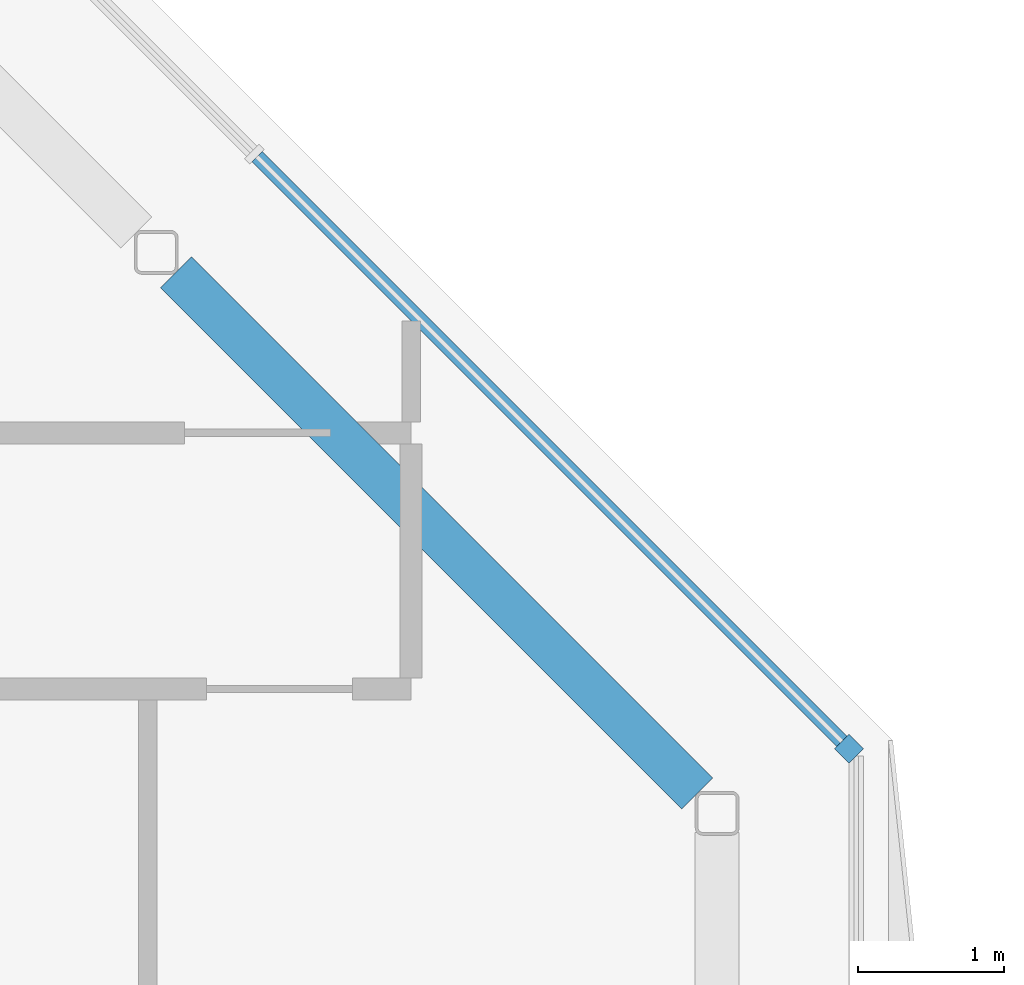
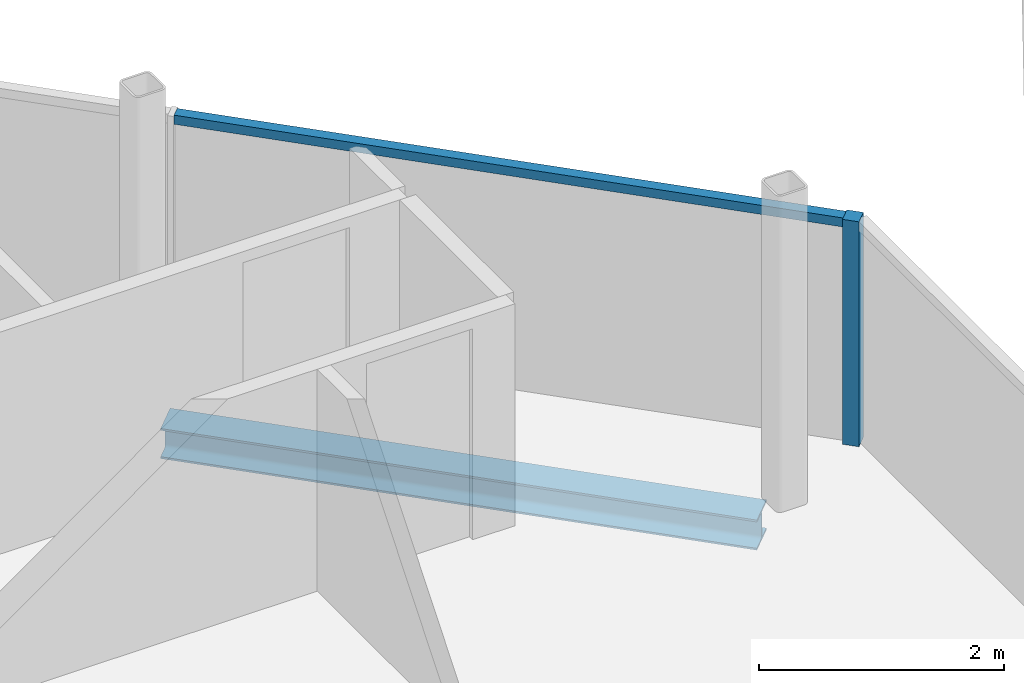
# One storey, part 7 of 16: 2 members, 1 beam, 1 element without a shape of its own.
"""IFC4 building model written with IfcOpenShell, lengths in metres."""

from ifc_helpers import new_model, si_unit, direction, frame, origin, origin_2d, place, context, subcontext, project, spatial, rectangle, i_section, extrude, material, material_profile, profile_set, type_object, element, aggregate, save


model = new_model("IFC4")

# Units and contexts
model_context = context("Model", 3, precision=1e-05, world=origin(), true_north=direction((0.0, 1.0)))
body_context = subcontext(model_context, "Body", "Model", "MODEL_VIEW")
ifc_project = project(units=[si_unit("LENGTHUNIT", "METRE"), si_unit("AREAUNIT", "SQUARE_METRE"), si_unit("VOLUMEUNIT", "CUBIC_METRE"), si_unit("PLANEANGLEUNIT", "RADIAN"), si_unit("MASSUNIT", "GRAM", prefix="KILO")], contexts=[model_context])

# Site, building, storey
site_placement = place(None, origin())
site = spatial("IfcSite", under=ifc_project, at=site_placement, CompositionType="ELEMENT")
building_placement = place(site_placement, origin())
building = spatial("IfcBuilding", under=site, at=building_placement, Name="Tskaro Facet Tower", CompositionType="ELEMENT")
storey_placement = place(building_placement, frame((0.0, 0.0, 251.85009765625)))
storey = spatial("IfcBuildingStorey", under=building, at=storey_placement, Name="L66", CompositionType="ELEMENT", Elevation=251.85009765625)

# Curtain wall, members
ifc_material_1 = material(Name="Bronze anodised aluminium 6063-T6", Category="aluminium")
curtain_wall_type = type_object("IfcCurtainWallType", Name="Bronze residence curtain wall (FW3)", PredefinedType="NOTDEFINED", material=ifc_material_1)
curtain_wall_placement = place(storey_placement, origin())
curtain_wall = element("IfcCurtainWall", 1, at=curtain_wall_placement, inside=storey, type_object=curtain_wall_type, Name="FW3 north-east facet L66", PredefinedType="NOTDEFINED")
ifc_material_profile_1 = material_profile(ifc_material_1, rectangle(XDim=0.139892578125, YDim=0.139892578125, at=origin_2d()), Name="Corner post 140x140")
ifc_profile_set_1 = profile_set([ifc_material_profile_1], Name="Bronze anodised aluminium 6063-T6")
member_type_1 = type_object("IfcMemberType", Name="FW3 bronze corner post 140x140", PredefinedType="MULLION", material=ifc_profile_set_1)
member_1_placement = place(storey_placement, frame((14.29150390625, 9.16748046875, 0.0), z_axis=(0.0, 0.0, 1.0), x_axis=(-0.707106781187, 0.707106781187, 0.0)))
member_1 = element("IfcMember", 2, at=member_1_placement, type_object=member_type_1, Name="FW3 north-east corner post", PredefinedType="MULLION", context=body_context, shape_type="SweptSolid", body=[
    extrude(rectangle(XDim=0.139892578125, YDim=0.139892578125, at=origin_2d()), origin(), (0.0, 0.0, 1.0), 2.239990234375),
])
ifc_material_profile_2 = material_profile(ifc_material_1, rectangle(XDim=0.10009765625, YDim=0.090087890625, at=origin_2d()), Name="Transom 100x90")
ifc_profile_set_2 = profile_set([ifc_material_profile_2], Name="Bronze anodised aluminium 6063-T6")
member_type_2 = type_object("IfcMemberType", Name="FW3 bronze transom 100x90", PredefinedType="USERDEFINED", material=ifc_profile_set_2)
member_2_placement = place(storey_placement, frame((14.241943359375, 9.217041015625, 2.19482421875), z_axis=(-0.707106781187, 0.707106781187, 0.0), x_axis=(-0.707106781187, -0.707106781187, 0.0)))
member_2 = element("IfcMember", 3, at=member_2_placement, type_object=member_type_2, Name="FW3 north-east transom 1.1", ObjectType="TRANSOM", PredefinedType="USERDEFINED", context=body_context, shape_type="SweptSolid", body=[
    extrude(rectangle(XDim=0.10009765625, YDim=0.090087890625, at=origin_2d()), origin(), (0.0, 0.0, 1.0), 5.649658203125),
])
aggregate(curtain_wall, [member_1, member_2])

# Beam
ifc_material_2 = material(Name="Steel S355J2", Category="steel")
ifc_material_profile_3 = material_profile(ifc_material_2, i_section(OverallWidth=0.300048828125, OverallDepth=0.300048828125, WebThickness=0.010986328125, FlangeThickness=0.01904296875, FilletRadius=0.027099609375, at=origin_2d()), Name="HE 300 B")
ifc_profile_set_3 = profile_set([ifc_material_profile_3], Name="Steel S355J2")
beam_type = type_object("IfcBeamType", Name="HE 300 B ring beam", PredefinedType="BEAM", material=ifc_profile_set_3)
beam_placement = place(storey_placement, frame((13.255126953125, 8.86083984375, -0.2900390625), z_axis=(-0.707106781187, 0.707106781187, 0.0), x_axis=(-0.707106781187, -0.707106781187, 0.0)))
element("IfcBeam", 4, at=beam_placement, inside=storey, type_object=beam_type, Name="HE 300 B EB8-5", PredefinedType="BEAM", context=body_context, shape_type="SweptSolid", body=[
    extrude(i_section(OverallWidth=0.300048828125, OverallDepth=0.300048828125, WebThickness=0.010986328125, FlangeThickness=0.01904296875, FilletRadius=0.027099609375, at=origin_2d()), origin(), (0.0, 0.0, 1.0), 5.036376953125),
])

save(model, "model.ifc")
